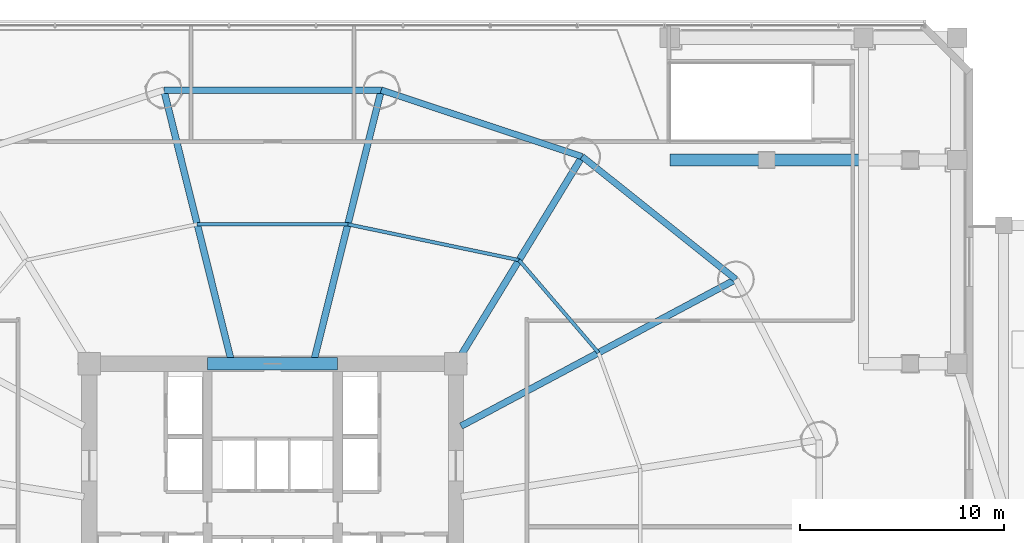
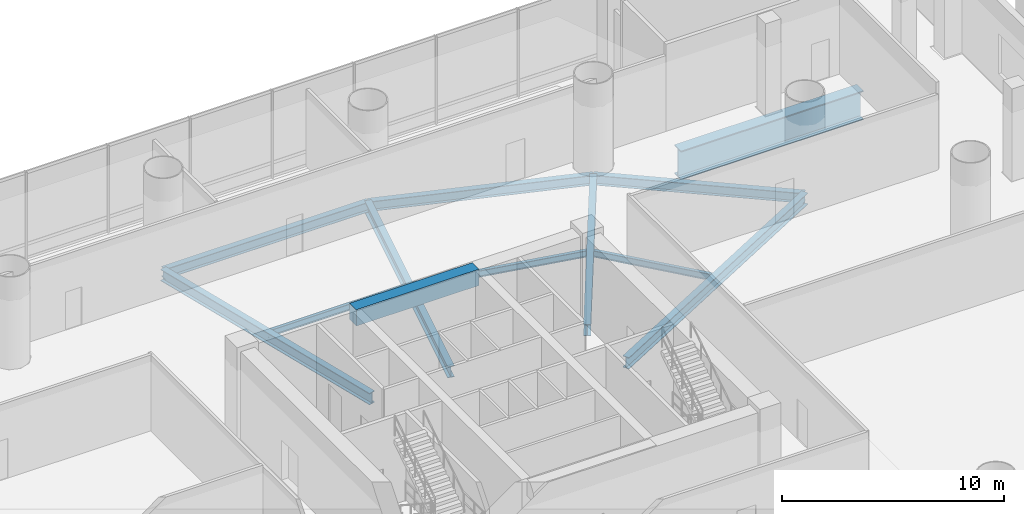
# One storey, part 13 of 31: 12 beams.
"""IFC4 building model written with IfcOpenShell, lengths in metres."""

from ifc_helpers import new_model, si_unit, direction, frame, origin, origin_2d, place, context, subcontext, project, spatial, rectangle, i_section, extrude, material, material_profile, profile_set, type_object, element, save


model = new_model("IFC4")

# Units and contexts
model_context = context("Model", 3, precision=1e-05, world=origin(), true_north=direction((-0.2419218956, 0.970295726276)))
body_context = subcontext(model_context, "Body", "Model", "MODEL_VIEW")
ifc_project = project(units=[si_unit("LENGTHUNIT", "METRE"), si_unit("AREAUNIT", "SQUARE_METRE"), si_unit("VOLUMEUNIT", "CUBIC_METRE"), si_unit("PLANEANGLEUNIT", "RADIAN"), si_unit("MASSUNIT", "GRAM", prefix="KILO")], contexts=[model_context])

# Site, building, storey
site_placement = place(None, origin())
site = spatial("IfcSite", under=ifc_project, at=site_placement, CompositionType="ELEMENT")
building_placement = place(site_placement, origin())
building = spatial("IfcBuilding", under=site, at=building_placement, Name="Cobrevalo Terracotta Tower", CompositionType="ELEMENT")
storey_placement = place(building_placement, frame((0.0, 0.0, 18.89990234375)))
storey = spatial("IfcBuildingStorey", under=building, at=storey_placement, Name="L04", CompositionType="ELEMENT", Elevation=18.89990234375)

# Beams
ifc_material_1 = material(Name="Concrete C60", Category="concrete")
ifc_material_profile_1 = material_profile(ifc_material_1, rectangle(XDim=0.60009765625, YDim=0.89990234375, at=origin_2d()), Name="RC CB 600x900")
ifc_profile_set_1 = profile_set([ifc_material_profile_1], Name="Concrete C60")
beam_type_1 = type_object("IfcBeamType", Name="Structural Beam RC CB 600x900 (Concrete C60)", PredefinedType="BEAM", material=ifc_profile_set_1)
beam_1_placement = place(storey_placement, frame((34.800048828125, 34.800048828125, 4.3701171875), z_axis=(1.0, 0.0, 0.0), x_axis=(0.0, 1.0, 0.0)))
element("IfcBeam", 1, at=beam_1_placement, inside=storey, type_object=beam_type_1, Name="L04 core coupling beam 2", PredefinedType="BEAM", context=body_context, shape_type="SweptSolid", body=[
    extrude(rectangle(XDim=0.60009765625, YDim=0.89990234375, at=origin_2d()), origin(), (0.0, 0.0, 1.0), 6.39990234375),
])
ifc_material_2 = material(Name="Steel S355", Category="steel")
ifc_material_profile_2 = material_profile(ifc_material_2, i_section(OverallWidth=0.3291015625, OverallDepth=0.635009765625, WebThickness=0.017822265625, FlangeThickness=0.031005859375, at=origin_2d()), Name="W 610x241")
ifc_profile_set_2 = profile_set([ifc_material_profile_2], Name="Steel S355")
beam_type_2 = type_object("IfcBeamType", Name="Structural Beam W 610x241 (Steel S355)", PredefinedType="BEAM", material=ifc_profile_set_2)
beam_2_placement = place(storey_placement, frame((60.74072265625, 38.939208984375, -0.767333984375), z_axis=(-0.88218223571, -0.470908168329, 0.0), x_axis=(0.470908168329, -0.88218223571, 0.0)))
element("IfcBeam", 2, at=beam_2_placement, inside=storey, type_object=beam_type_2, Name="L04 radial floor girder 02", PredefinedType="BEAM", context=body_context, shape_type="SweptSolid", body=[
    extrude(i_section(OverallWidth=0.3291015625, OverallDepth=0.635009765625, WebThickness=0.017822265625, FlangeThickness=0.031005859375, at=origin_2d()), origin(), (0.0, 0.0, 1.0), 15.286865234375),
])
beam_3_placement = place(storey_placement, frame((53.19482421875, 44.967529296875, -0.767333984375), z_axis=(-0.520309892051, -0.853977526773, 0.0), x_axis=(0.853977526773, -0.520309892051, 0.0)))
element("IfcBeam", 3, at=beam_3_placement, inside=storey, type_object=beam_type_2, Name="L04 radial floor girder 03", PredefinedType="BEAM", context=body_context, shape_type="SweptSolid", body=[
    extrude(i_section(OverallWidth=0.3291015625, OverallDepth=0.635009765625, WebThickness=0.017822265625, FlangeThickness=0.031005859375, at=origin_2d()), origin(), (0.0, 0.0, 1.0), 11.906005859375),
])
for number, where, z_axis, x_axis, name in (
    (4, (43.335693359375, 48.230224609375, -0.767333984375), (-0.241596254786, -0.970376859614, 0.0), (0.970376859614, -0.241596254786, 0.0), "L04 radial floor girder 04"),
    (5, (32.664306640625, 48.230224609375, -0.767333984375), (0.241596254786, -0.970376859614, 0.0), (0.970376859614, 0.241596254786, 0.0), "L04 radial floor girder 05"),
):
    element("IfcBeam", number, at=place(storey_placement, frame(where, z_axis=z_axis, x_axis=x_axis)), inside=storey, type_object=beam_type_2, Name=name, PredefinedType="BEAM", context=body_context, shape_type="SweptSolid", body=[
        extrude(i_section(OverallWidth=0.3291015625, OverallDepth=0.635009765625, WebThickness=0.017822265625, FlangeThickness=0.031005859375, at=origin_2d()), origin(), (0.0, 0.0, 1.0), 13.577392578125),
    ])
ifc_material_profile_3 = material_profile(ifc_material_2, i_section(OverallWidth=0.1708984375, OverallDepth=0.35498046875, WebThickness=0.007080078125, FlangeThickness=0.01171875, at=origin_2d()), Name="W 360x51")
ifc_profile_set_3 = profile_set([ifc_material_profile_3], Name="Steel S355")
beam_type_3 = type_object("IfcBeamType", Name="Structural Joist W 360x51 (Steel S355)", PredefinedType="JOIST", material=ifc_profile_set_3)
beam_4_placement = place(storey_placement, frame((53.997802734375, 35.33984375, -0.62744140625), z_axis=(-0.651328404454, 0.758795960421, 0.0), x_axis=(-0.758795960421, -0.651328404454, 0.0)))
element("IfcBeam", 6, at=beam_4_placement, inside=storey, type_object=beam_type_3, Name="L04 circumferential secondary floor joist 02", PredefinedType="JOIST", context=body_context, shape_type="SweptSolid", body=[
    extrude(i_section(OverallWidth=0.1708984375, OverallDepth=0.35498046875, WebThickness=0.007080078125, FlangeThickness=0.01171875, at=origin_2d()), origin(), (0.0, 0.0, 1.0), 5.98828125),
])
beam_5_placement = place(storey_placement, frame((50.097412109375, 39.8837890625, -0.62744140625), z_axis=(-0.978784523904, 0.204892302848, 0.0), x_axis=(-0.204892302848, -0.978784523904, 0.0)))
element("IfcBeam", 7, at=beam_5_placement, inside=storey, type_object=beam_type_3, Name="L04 circumferential secondary floor joist 03", PredefinedType="JOIST", context=body_context, shape_type="SweptSolid", body=[
    extrude(i_section(OverallWidth=0.1708984375, OverallDepth=0.35498046875, WebThickness=0.007080078125, FlangeThickness=0.01171875, at=origin_2d()), origin(), (0.0, 0.0, 1.0), 8.583984375),
])
beam_6_placement = place(storey_placement, frame((41.695556640625, 41.642578125, -0.62744140625), z_axis=(-1.0, 0.0, 0.0), x_axis=(0.0, -1.0, 0.0)))
element("IfcBeam", 8, at=beam_6_placement, inside=storey, type_object=beam_type_3, Name="L04 circumferential secondary floor joist 04", PredefinedType="JOIST", context=body_context, shape_type="SweptSolid", body=[
    extrude(i_section(OverallWidth=0.1708984375, OverallDepth=0.35498046875, WebThickness=0.007080078125, FlangeThickness=0.01171875, at=origin_2d()), origin(), (0.0, 0.0, 1.0), 7.39111328125),
])
ifc_material_profile_4 = material_profile(ifc_material_2, i_section(OverallWidth=0.31201171875, OverallDepth=0.54296875, WebThickness=0.0126953125, FlangeThickness=0.020263671875, at=origin_2d()), Name="W 530x150")
ifc_profile_set_4 = profile_set([ifc_material_profile_4], Name="Steel S355")
beam_type_4 = type_object("IfcBeamType", Name="Structural Spandrel W 530x150 (Steel S355)", PredefinedType="SPANDREL", material=ifc_profile_set_4)
beam_7_placement = place(storey_placement, frame((60.74072265625, 38.939208984375, -0.721435546875), z_axis=(-0.781292806807, 0.62416468182, 0.0), x_axis=(-0.62416468182, -0.781292806807, 0.0)))
element("IfcBeam", 9, at=beam_7_placement, inside=storey, type_object=beam_type_4, Name="L04 perimeter ring spandrel 02", PredefinedType="SPANDREL", context=body_context, shape_type="SweptSolid", body=[
    extrude(i_section(OverallWidth=0.31201171875, OverallDepth=0.54296875, WebThickness=0.0126953125, FlangeThickness=0.020263671875, at=origin_2d()), origin(), (0.0, 0.0, 1.0), 9.658203125),
])
beam_8_placement = place(storey_placement, frame((53.19482421875, 44.967529296875, -0.721435546875), z_axis=(-0.949365190876, 0.314174687638, 0.0), x_axis=(-0.314174687638, -0.949365190876, 0.0)))
element("IfcBeam", 10, at=beam_8_placement, inside=storey, type_object=beam_type_4, Name="L04 perimeter ring spandrel 03", PredefinedType="SPANDREL", context=body_context, shape_type="SweptSolid", body=[
    extrude(i_section(OverallWidth=0.31201171875, OverallDepth=0.54296875, WebThickness=0.0126953125, FlangeThickness=0.020263671875, at=origin_2d()), origin(), (0.0, 0.0, 1.0), 10.385009765625),
])
beam_9_placement = place(storey_placement, frame((43.335693359375, 48.230224609375, -0.721435546875), z_axis=(-1.0, 0.0, 0.0), x_axis=(0.0, -1.0, 0.0)))
element("IfcBeam", 11, at=beam_9_placement, inside=storey, type_object=beam_type_4, Name="L04 perimeter ring spandrel 04", PredefinedType="SPANDREL", context=body_context, shape_type="SweptSolid", body=[
    extrude(i_section(OverallWidth=0.31201171875, OverallDepth=0.54296875, WebThickness=0.0126953125, FlangeThickness=0.020263671875, at=origin_2d()), origin(), (0.0, 0.0, 1.0), 10.67138671875),
])
ifc_material_profile_5 = material_profile(ifc_material_2, i_section(OverallWidth=0.60009765625, OverallDepth=1.60009765625, WebThickness=0.031982421875, FlangeThickness=0.054931640625, at=origin_2d()), Name="PG 1600x600")
ifc_profile_set_5 = profile_set([ifc_material_profile_5], Name="Steel S355")
beam_type_5 = type_object("IfcBeamType", Name="Transfer Girder PG 1600x600 (Steel S355)", PredefinedType="BEAM", material=ifc_profile_set_5)
beam_10_placement = place(storey_placement, frame((57.5, 44.800048828125, -1.25), z_axis=(1.0, 0.0, 0.0), x_axis=(0.0, 1.0, 0.0)))
element("IfcBeam", 12, at=beam_10_placement, inside=storey, type_object=beam_type_5, Name="L04 podium transfer girder TG-E6", PredefinedType="BEAM", context=body_context, shape_type="SweptSolid", body=[
    extrude(i_section(OverallWidth=0.60009765625, OverallDepth=1.60009765625, WebThickness=0.031982421875, FlangeThickness=0.054931640625, at=origin_2d()), origin(), (0.0, 0.0, 1.0), 9.5),
])

save(model, "model.ifc")
